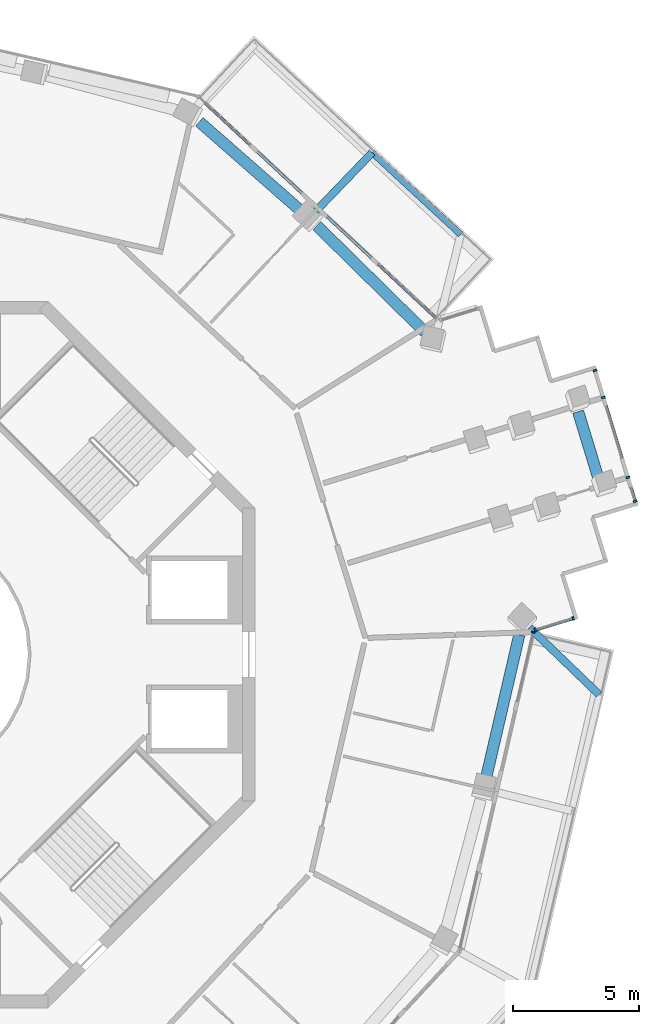
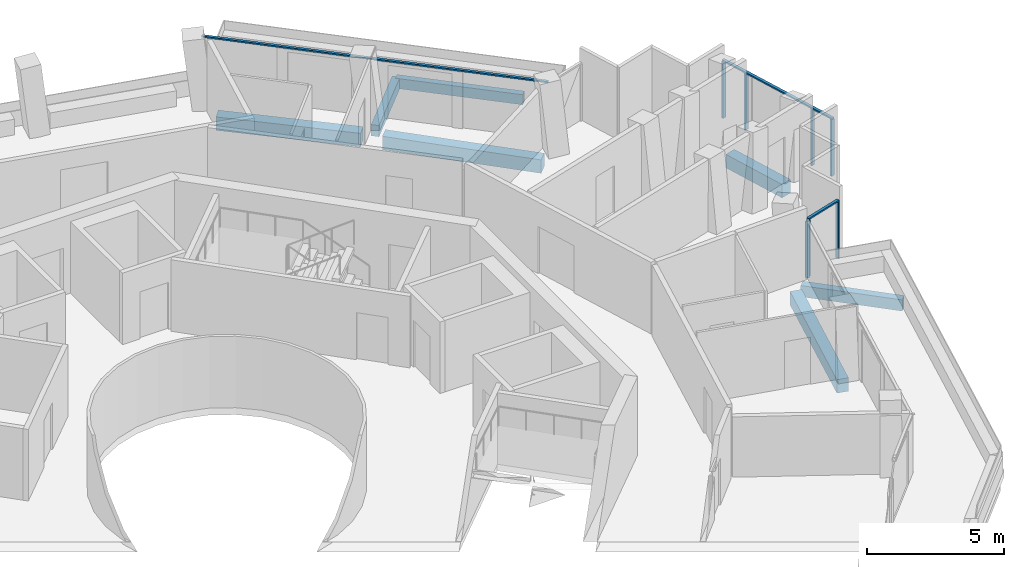
# One storey, part 8 of 21: 10 members, 7 beams, 4 elements without a shape of their own.
"""IFC4 building model written with IfcOpenShell, lengths in metres."""

from ifc_helpers import new_model, si_unit, direction, frame, origin, origin_2d, place, context, subcontext, project, spatial, rectangle, extrude, material, layer, layer_set, material_profile, profile_set, type_object, element, aggregate, save


model = new_model("IFC4")

# Units and contexts
model_context = context("Model", 3, precision=1e-05, world=origin(), true_north=direction((0.0, 1.0)))
body_context = subcontext(model_context, "Body", "Model", "MODEL_VIEW")
ifc_project = project(units=[si_unit("LENGTHUNIT", "METRE"), si_unit("AREAUNIT", "SQUARE_METRE"), si_unit("VOLUMEUNIT", "CUBIC_METRE"), si_unit("PLANEANGLEUNIT", "RADIAN"), si_unit("MASSUNIT", "GRAM", prefix="KILO")], contexts=[model_context])

# Site, building, storey
site_placement = place(None, origin())
site = spatial("IfcSite", under=ifc_project, at=site_placement, CompositionType="ELEMENT")
building_placement = place(site_placement, origin())
building = spatial("IfcBuilding", under=site, at=building_placement, Name="Verdalira Terraces Hotel", CompositionType="ELEMENT")
storey_placement = place(building_placement, frame((0.0, 0.0, 227.0)))
storey = spatial("IfcBuildingStorey", under=building, at=storey_placement, Name="L55", CompositionType="ELEMENT", Elevation=227.0)

# Beams
ifc_material_1 = material(Name="Concrete C40", Category="concrete")
ifc_material_profile_1 = material_profile(ifc_material_1, rectangle(XDim=0.300049, YDim=0.5, at=origin_2d()), Name="RC 300X500")
ifc_profile_set_1 = profile_set([ifc_material_profile_1], Name="Concrete C40")
beam_type_1 = type_object("IfcBeamType", Name="Balcony cantilever beam RC 300X500 C40", PredefinedType="BEAM", material=ifc_profile_set_1)
beam_1_placement = place(storey_placement, frame((24.880615, 1.062988, -0.560059), z_axis=(0.720327304, -0.693634324, 0.0), x_axis=(0.693634324, 0.720327304, 0.0)))
element("IfcBeam", 1, at=beam_1_placement, inside=storey, type_object=beam_type_1, Name="Balcony cantilever beam R26-5", PredefinedType="BEAM", context=body_context, shape_type="SweptSolid", body=[
    extrude(rectangle(XDim=0.300049, YDim=0.5, at=origin_2d()), origin(), (0.0, 0.0, 1.0), 3.823242),
])
beam_2_placement = place(storey_placement, frame((16.418213, 17.585205, -0.560059), z_axis=(0.693671003, 0.720291982, 0.0), x_axis=(-0.720291982, 0.693671003, 0.0)))
element("IfcBeam", 2, at=beam_2_placement, inside=storey, type_object=beam_type_1, Name="Balcony cantilever beam R39-2", PredefinedType="BEAM", context=body_context, shape_type="SweptSolid", body=[
    extrude(rectangle(XDim=0.300049, YDim=0.5, at=origin_2d()), origin(), (0.0, 0.0, 1.0), 3.200684),
])
ifc_material_2 = material(Name="Concrete C40", Category="concrete")
ifc_material_profile_2 = material_profile(ifc_material_2, rectangle(XDim=0.25, YDim=0.449951, at=origin_2d()), Name="RC 250X450")
ifc_profile_set_2 = profile_set([ifc_material_profile_2], Name="Concrete C40")
beam_type_2 = type_object("IfcBeamType", Name="Balcony edge beam RC 250X450 C40", PredefinedType="BEAM", material=ifc_profile_set_2)
beam_3_placement = place(storey_placement, frame((22.145996, 16.645752, -0.534912), z_axis=(-0.734060598, 0.67908397, 0.0), x_axis=(-0.67908397, -0.734060598, 0.0)))
element("IfcBeam", 3, at=beam_3_placement, inside=storey, type_object=beam_type_2, Name="Balcony edge beam R39-1", PredefinedType="BEAM", context=body_context, shape_type="SweptSolid", body=[
    extrude(rectangle(XDim=0.25, YDim=0.449951, at=origin_2d()), origin(), (0.0, 0.0, 1.0), 4.77832),
])

# Curtain wall, member
ifc_material_3 = material(Name="Clear glass", Category="glass")
ifc_layer_1 = layer(ifc_material_3, 0.14990234375)
ifc_layer_set_1 = layer_set([ifc_layer_1], Name="CW1 curtain wall")
curtain_wall_type_1 = type_object("IfcCurtainWallType", Name="CW1 curtain wall", PredefinedType="NOTDEFINED", material=ifc_layer_set_1)
curtain_wall_1_placement = place(storey_placement, origin())
curtain_wall_1 = element("IfcCurtainWall", 4, at=curtain_wall_1_placement, inside=storey, type_object=curtain_wall_type_1, Name="CW1 curtain wall L55 edge 27", PredefinedType="NOTDEFINED")
ifc_material_4 = material(Name="Terracotta frame", Category="masonry")
ifc_material_profile_3 = material_profile(ifc_material_4, rectangle(XDim=0.060059, YDim=0.149902, at=origin_2d()), Name="MU 60x150")
ifc_profile_set_3 = profile_set([ifc_material_profile_3], Name="Terracotta frame")
member_type_1 = type_object("IfcMemberType", Name="CW1 mullion 60x150", PredefinedType="MULLION", material=ifc_profile_set_3)
member_1_placement = place(storey_placement, frame((25.018311, 0.881592, 0.0), z_axis=(0.0, 0.0, 1.0), x_axis=(0.224270761, 0.974526873, 0.0)))
member_1 = element("IfcMember", 5, at=member_1_placement, type_object=member_type_1, Name="CW1 mullion", PredefinedType="MULLION", context=body_context, shape_type="SweptSolid", body=[
    extrude(rectangle(XDim=0.060059, YDim=0.149902, at=origin_2d()), origin(), (0.0, 0.0, 1.0), 2.524902),
])
aggregate(curtain_wall_1, [member_1])

curtain_wall_2_placement = place(storey_placement, origin())
curtain_wall_2 = element("IfcCurtainWall", 6, at=curtain_wall_2_placement, inside=storey, type_object=curtain_wall_type_1, Name="CW1 curtain wall L55 edge 39", PredefinedType="NOTDEFINED")
ifc_material_5 = material(Name="Terracotta frame", Category="masonry")
ifc_material_profile_4 = material_profile(ifc_material_5, rectangle(XDim=0.110107, YDim=0.064941, at=origin_2d()), Name="TR 65x110")
ifc_profile_set_4 = profile_set([ifc_material_profile_4], Name="Terracotta frame")
member_type_2 = type_object("IfcMemberType", Name="CW1 transom 65x110", PredefinedType="USERDEFINED", material=ifc_profile_set_4)
member_2_placement = place(storey_placement, frame((21.237549, 13.268311, 2.557617), z_axis=(-0.731832931, 0.681484087, 0.0), x_axis=(-0.681484087, -0.731832931, 0.0)))
member_2 = element("IfcMember", 7, at=member_2_placement, type_object=member_type_2, Name="CW1 transom", ObjectType="TRANSOM", PredefinedType="USERDEFINED", context=body_context, shape_type="SweptSolid", body=[
    extrude(rectangle(XDim=0.110107, YDim=0.064941, at=origin_2d()), origin(), (0.0, 0.0, 1.0), 13.0),
])
aggregate(curtain_wall_2, [member_2])

# Curtain wall, members
ifc_material_6 = material(Name="Clear glass", Category="glass")
ifc_layer_2 = layer(ifc_material_6, 0.14990234375)
ifc_layer_set_2 = layer_set([ifc_layer_2], Name="CW2 curtain wall")
curtain_wall_type_2 = type_object("IfcCurtainWallType", Name="CW2 curtain wall", PredefinedType="NOTDEFINED", material=ifc_layer_set_2)
curtain_wall_3_placement = place(storey_placement, origin())
curtain_wall_3 = element("IfcCurtainWall", 8, at=curtain_wall_3_placement, inside=storey, type_object=curtain_wall_type_2, Name="CW2 curtain wall L55 edge 28", PredefinedType="NOTDEFINED")
ifc_material_7 = material(Name="Terracotta frame", Category="masonry")
ifc_material_profile_5 = material_profile(ifc_material_7, rectangle(XDim=0.070068, YDim=0.149902, at=origin_2d()), Name="MU 70x150")
ifc_profile_set_5 = profile_set([ifc_material_profile_5], Name="Terracotta frame")
member_type_3 = type_object("IfcMemberType", Name="CW2 mullion 70x150", PredefinedType="MULLION", material=ifc_profile_set_5)
member_3_placement = place(storey_placement, frame((25.109619, 0.976074, 0.0), z_axis=(0.0, 0.0, 1.0), x_axis=(0.956100409, 0.29303926, 0.0)))
member_3 = element("IfcMember", 9, at=member_3_placement, type_object=member_type_3, Name="CW2 mullion", PredefinedType="MULLION", context=body_context, shape_type="SweptSolid", body=[
    extrude(rectangle(XDim=0.070068, YDim=0.149902, at=origin_2d()), origin(), (0.0, 0.0, 1.0), 2.524902),
])
member_4_placement = place(storey_placement, frame((26.604492, 1.434082, 0.0), z_axis=(0.0, 0.0, 1.0), x_axis=(0.956100409, 0.29303926, 0.0)))
member_4 = element("IfcMember", 10, at=member_4_placement, type_object=member_type_3, Name="CW2 mullion", PredefinedType="MULLION", context=body_context, shape_type="SweptSolid", body=[
    extrude(rectangle(XDim=0.070068, YDim=0.149902, at=origin_2d()), origin(), (0.0, 0.0, 1.0), 2.524902),
])
ifc_material_8 = material(Name="Terracotta frame", Category="masonry")
ifc_material_profile_6 = material_profile(ifc_material_8, rectangle(XDim=0.11499, YDim=0.064941, at=origin_2d()), Name="TR 65x115")
ifc_profile_set_6 = profile_set([ifc_material_profile_6], Name="Terracotta frame")
member_type_4 = type_object("IfcMemberType", Name="CW2 transom 65x115", PredefinedType="USERDEFINED", material=ifc_profile_set_6)
member_5_placement = place(storey_placement, frame((25.076172, 0.965576, 2.557617), z_axis=(0.956085484, 0.293087953, 0.0), x_axis=(-0.293087953, 0.956085484, 0.0)))
member_5 = element("IfcMember", 11, at=member_5_placement, type_object=member_type_4, Name="CW2 transom", ObjectType="TRANSOM", PredefinedType="USERDEFINED", context=body_context, shape_type="SweptSolid", body=[
    extrude(rectangle(XDim=0.11499, YDim=0.064941, at=origin_2d()), origin(), (0.0, 0.0, 1.0), 1.633545),
])
aggregate(curtain_wall_3, [member_3, member_4, member_5])

ifc_material_9 = material(Name="Clear glass", Category="glass")
ifc_layer_3 = layer(ifc_material_9, 0.14990234375)
ifc_layer_set_3 = layer_set([ifc_layer_3], Name="CW3 curtain wall")
curtain_wall_type_3 = type_object("IfcCurtainWallType", Name="CW3 curtain wall", PredefinedType="NOTDEFINED", material=ifc_layer_set_3)
curtain_wall_4_placement = place(storey_placement, origin())
curtain_wall_4 = element("IfcCurtainWall", 12, at=curtain_wall_4_placement, inside=storey, type_object=curtain_wall_type_3, Name="CW3 curtain wall L55 edge 33", PredefinedType="NOTDEFINED")
ifc_material_10 = material(Name="Terracotta frame", Category="masonry")
ifc_material_profile_7 = material_profile(ifc_material_10, rectangle(XDim=0.080078, YDim=0.149902, at=origin_2d()), Name="MU 80x150")
ifc_profile_set_7 = profile_set([ifc_material_profile_7], Name="Terracotta frame")
member_type_5 = type_object("IfcMemberType", Name="CW3 mullion 80x150", PredefinedType="MULLION", material=ifc_profile_set_7)
member_6_placement = place(storey_placement, frame((29.062988, 6.073242, 0.0), z_axis=(0.0, 0.0, 1.0), x_axis=(-0.29303926, 0.956100409, 0.0)))
member_6 = element("IfcMember", 13, at=member_6_placement, type_object=member_type_5, Name="CW3 mullion", PredefinedType="MULLION", context=body_context, shape_type="SweptSolid", body=[
    extrude(rectangle(XDim=0.080078, YDim=0.149902, at=origin_2d()), origin(), (0.0, 0.0, 1.0), 2.524902),
])
member_7_placement = place(storey_placement, frame((28.773193, 7.018799, 0.0), z_axis=(0.0, 0.0, 1.0), x_axis=(-0.29303926, 0.956100409, 0.0)))
member_7 = element("IfcMember", 14, at=member_7_placement, type_object=member_type_5, Name="CW3 mullion", PredefinedType="MULLION", context=body_context, shape_type="SweptSolid", body=[
    extrude(rectangle(XDim=0.080078, YDim=0.149902, at=origin_2d()), origin(), (0.0, 0.0, 1.0), 2.524902),
])
member_8_placement = place(storey_placement, frame((27.801758, 10.188232, 0.0), z_axis=(0.0, 0.0, 1.0), x_axis=(-0.29303926, 0.956100409, 0.0)))
member_8 = element("IfcMember", 15, at=member_8_placement, type_object=member_type_5, Name="CW3 mullion", PredefinedType="MULLION", context=body_context, shape_type="SweptSolid", body=[
    extrude(rectangle(XDim=0.080078, YDim=0.149902, at=origin_2d()), origin(), (0.0, 0.0, 1.0), 2.524902),
])
member_9_placement = place(storey_placement, frame((27.474854, 11.255371, 0.0), z_axis=(0.0, 0.0, 1.0), x_axis=(-0.29303926, 0.956100409, 0.0)))
member_9 = element("IfcMember", 16, at=member_9_placement, type_object=member_type_5, Name="CW3 mullion", PredefinedType="MULLION", context=body_context, shape_type="SweptSolid", body=[
    extrude(rectangle(XDim=0.080078, YDim=0.149902, at=origin_2d()), origin(), (0.0, 0.0, 1.0), 2.524902),
])
ifc_material_11 = material(Name="Terracotta frame", Category="masonry")
ifc_material_profile_8 = material_profile(ifc_material_11, rectangle(XDim=0.120117, YDim=0.064941, at=origin_2d()), Name="TR 65x120")
ifc_profile_set_8 = profile_set([ifc_material_profile_8], Name="Terracotta frame")
member_type_6 = type_object("IfcMemberType", Name="CW3 transom 65x120", PredefinedType="USERDEFINED", material=ifc_profile_set_8)
member_10_placement = place(storey_placement, frame((29.074707, 6.034912, 2.557617), z_axis=(-0.293015755, 0.956107613, 0.0), x_axis=(-0.956107613, -0.293015755, 0.0)))
member_10 = element("IfcMember", 17, at=member_10_placement, type_object=member_type_6, Name="CW3 transom", ObjectType="TRANSOM", PredefinedType="USERDEFINED", context=body_context, shape_type="SweptSolid", body=[
    extrude(rectangle(XDim=0.120117, YDim=0.064941, at=origin_2d()), origin(), (0.0, 0.0, 1.0), 5.5),
])
aggregate(curtain_wall_4, [member_6, member_7, member_8, member_9, member_10])

# Beams
ifc_material_12 = material(Name="Concrete C40", Category="concrete")
ifc_material_profile_9 = material_profile(ifc_material_12, rectangle(XDim=0.449951, YDim=0.600098, at=origin_2d()), Name="RC 450X600")
ifc_profile_set_9 = profile_set([ifc_material_profile_9], Name="Concrete C40")
beam_type_3 = type_object("IfcBeamType", Name="Spandrel beam RC 450X600 C40", PredefinedType="SPANDREL", material=ifc_profile_set_9)
beam_4_placement = place(storey_placement, frame((23.13623, -4.95752, -0.610107), z_axis=(0.226287679, 0.974060515, 0.0), x_axis=(-0.974060515, 0.226287679, 0.0)))
element("IfcBeam", 18, at=beam_4_placement, inside=storey, type_object=beam_type_3, Name="Spandrel beam B16", PredefinedType="SPANDREL", context=body_context, shape_type="SweptSolid", body=[
    extrude(rectangle(XDim=0.449951, YDim=0.600098, at=origin_2d()), origin(), (0.0, 0.0, 1.0), 5.891846),
])
beam_5_placement = place(storey_placement, frame((27.619385, 6.935791, -0.610107), z_axis=(-0.291068265, 0.956702287, 0.0), x_axis=(-0.956702287, -0.291068265, 0.0)))
element("IfcBeam", 19, at=beam_5_placement, inside=storey, type_object=beam_type_3, Name="Spandrel beam B17", PredefinedType="SPANDREL", context=body_context, shape_type="SweptSolid", body=[
    extrude(rectangle(XDim=0.449951, YDim=0.600098, at=origin_2d()), origin(), (0.0, 0.0, 1.0), 2.809814),
])
beam_6_placement = place(storey_placement, frame((20.721191, 12.786865, -0.610107), z_axis=(-0.712517996, 0.701653836, 0.0), x_axis=(-0.701653836, -0.712517996, 0.0)))
element("IfcBeam", 20, at=beam_6_placement, inside=storey, type_object=beam_type_3, Name="Spandrel beam B18", PredefinedType="SPANDREL", context=body_context, shape_type="SweptSolid", body=[
    extrude(rectangle(XDim=0.449951, YDim=0.600098, at=origin_2d()), origin(), (0.0, 0.0, 1.0), 6.0),
])
beam_7_placement = place(storey_placement, frame((15.843506, 17.556396, -0.610107), z_axis=(-0.751805166, 0.659385314, 0.0), x_axis=(-0.659385314, -0.751805166, 0.0)))
element("IfcBeam", 21, at=beam_7_placement, inside=storey, type_object=beam_type_3, Name="Spandrel beam B19", PredefinedType="SPANDREL", context=body_context, shape_type="SweptSolid", body=[
    extrude(rectangle(XDim=0.449951, YDim=0.600098, at=origin_2d()), origin(), (0.0, 0.0, 1.0), 5.394287),
])

save(model, "model.ifc")
